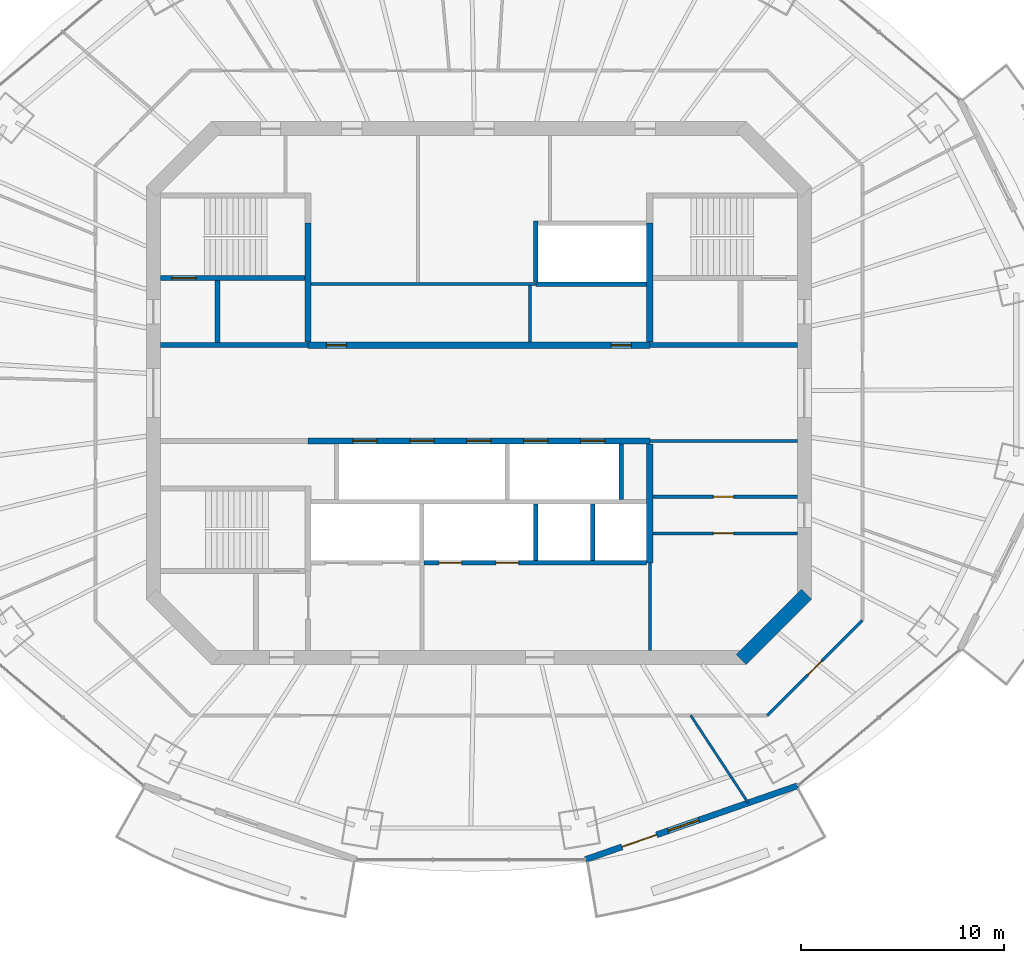
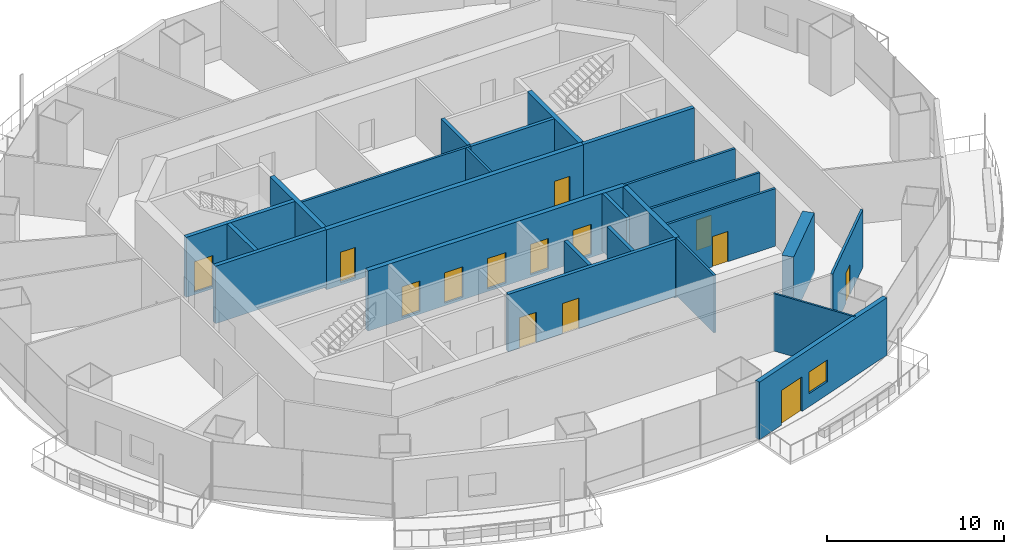
# One storey, part 9 of 16: 25 walls, 14 doors, 1 window, 15 openings.
"""IFC4 building model written with IfcOpenShell, lengths in metres."""

from ifc_helpers import new_model, si_unit, direction, frame, frame_2d, origin, place, context, subcontext, project, spatial, rectangle, extrude, material, layer, layer_set, type_object, element, fill, save


model = new_model("IFC4")

# Units and contexts
model_context = context("Model", 3, precision=1e-05, world=origin(), true_north=direction((0.0, 1.0)))
body_context = subcontext(model_context, "Body", "Model", "MODEL_VIEW")
ifc_project = project(units=[si_unit("LENGTHUNIT", "METRE"), si_unit("AREAUNIT", "SQUARE_METRE"), si_unit("VOLUMEUNIT", "CUBIC_METRE"), si_unit("PLANEANGLEUNIT", "RADIAN"), si_unit("MASSUNIT", "GRAM", prefix="KILO")], contexts=[model_context])

# Site, building, storey
site_placement = place(None, origin())
site = spatial("IfcSite", under=ifc_project, at=site_placement, CompositionType="ELEMENT")
building_placement = place(site_placement, origin())
building = spatial("IfcBuilding", under=site, at=building_placement, Name="Marenthal Gate Tower", CompositionType="ELEMENT")
storey_placement = place(building_placement, frame((0.0, 0.0, 288.64990234375)))
storey = spatial("IfcBuildingStorey", under=building, at=storey_placement, Name="L64", CompositionType="ELEMENT", Elevation=288.64990234375)

# Wall
ifc_material_1 = material(Name="Concrete 60 MPa", Category="concrete")
ifc_layer_1 = layer(ifc_material_1, 0.699951171875)
ifc_layer_set_1 = layer_set([ifc_layer_1], Name="Core shear wall 700")
wall_type_1 = type_object("IfcWallType", Name="Core shear wall 700", PredefinedType="SHEAR", material=ifc_layer_set_1)
wall_1_placement = place(storey_placement, frame((12.8974609375, -13.1025390625, -0.179931640625), z_axis=(0.0, 0.0, 1.0), x_axis=(0.707106781187, 0.707106781187, 0.0)))
element("IfcWall", 1, at=wall_1_placement, inside=storey, type_object=wall_type_1, Name="Core wall 01", PredefinedType="SHEAR", context=body_context, shape_type="SweptSolid", body=[
    extrude(rectangle(XDim=4.53271484375, YDim=0.699951171875, at=frame_2d((2.266357421875, 0.0))), origin(), (0.0, 0.0, 1.0), 4.150146484375),
])

# Wall, openings, doors
ifc_material_2 = material(Name="Concrete 50 MPa", Category="concrete")
ifc_layer_2 = layer(ifc_material_2, 0.300048828125)
ifc_layer_set_2 = layer_set([ifc_layer_2], Name="Hoistway shear wall 300")
wall_type_2 = type_object("IfcWallType", Name="Hoistway shear wall 300", PredefinedType="SHEAR", material=ifc_layer_set_2)
wall_2_placement = place(storey_placement, frame((-8.39990234375, -2.35009765625, -0.179931640625), z_axis=(0.0, 0.0, 1.0), x_axis=(1.0, 0.0, 0.0)))
wall_2 = element("IfcWall", 2, at=wall_2_placement, inside=storey, type_object=wall_type_2, Name="Hoistway wall 17", PredefinedType="SHEAR", context=body_context, shape_type="SweptSolid", body=[
    extrude(rectangle(XDim=16.7998046875, YDim=0.300048828125, at=frame_2d((8.39990234375, 0.0))), origin(), (0.0, 0.0, 1.0), 4.150146484375),
])
opening_1_placement = place(wall_2_placement, frame((2.199951171875, 0.0, 0.179931640625)))
opening_1 = element("IfcOpeningElement", 3, at=opening_1_placement, cuts=wall_2, Name="Opening LD-HP1", PredefinedType="OPENING", context=body_context, shape_type="SweptSolid", body=[
    extrude(rectangle(XDim=1.199951171875, YDim=2.10009765625, at=frame_2d((0.60009765625, 1.050048828125))), frame((0.0, 0.16015625, 0.0), z_axis=(0.0, -1.0, 0.0), x_axis=(1.0, 0.0, 0.0)), (0.0, 0.0, 1.0), 0.320068359375),
])
opening_2_placement = place(wall_2_placement, frame((5.0, 0.0, 0.179931640625)))
opening_2 = element("IfcOpeningElement", 4, at=opening_2_placement, cuts=wall_2, Name="Opening LD-HP2", PredefinedType="OPENING", context=body_context, shape_type="SweptSolid", body=[
    extrude(rectangle(XDim=1.199951171875, YDim=2.10009765625, at=frame_2d((0.60009765625, 1.050048828125))), frame((0.0, 0.16015625, 0.0), z_axis=(0.0, -1.0, 0.0), x_axis=(1.0, 0.0, 0.0)), (0.0, 0.0, 1.0), 0.320068359375),
])
opening_3_placement = place(wall_2_placement, frame((7.800048828125, 0.0, 0.179931640625)))
opening_3 = element("IfcOpeningElement", 5, at=opening_3_placement, cuts=wall_2, Name="Opening LD-HP3", PredefinedType="OPENING", context=body_context, shape_type="SweptSolid", body=[
    extrude(rectangle(XDim=1.199951171875, YDim=2.10009765625, at=frame_2d((0.60009765625, 1.050048828125))), frame((0.0, 0.16015625, 0.0), z_axis=(0.0, -1.0, 0.0), x_axis=(1.0, 0.0, 0.0)), (0.0, 0.0, 1.0), 0.320068359375),
])
opening_4_placement = place(wall_2_placement, frame((10.60009765625, 0.0, 0.179931640625)))
opening_4 = element("IfcOpeningElement", 6, at=opening_4_placement, cuts=wall_2, Name="Opening LD-HP4", PredefinedType="OPENING", context=body_context, shape_type="SweptSolid", body=[
    extrude(rectangle(XDim=1.199951171875, YDim=2.10009765625, at=frame_2d((0.60009765625, 1.050048828125))), frame((0.0, 0.16015625, 0.0), z_axis=(0.0, -1.0, 0.0), x_axis=(1.0, 0.0, 0.0)), (0.0, 0.0, 1.0), 0.320068359375),
])
opening_5_placement = place(wall_2_placement, frame((13.39990234375, 0.0, 0.179931640625)))
opening_5 = element("IfcOpeningElement", 7, at=opening_5_placement, cuts=wall_2, Name="Opening LD-HP5", PredefinedType="OPENING", context=body_context, shape_type="SweptSolid", body=[
    extrude(rectangle(XDim=1.199951171875, YDim=2.10009765625, at=frame_2d((0.60009765625, 1.050048828125))), frame((0.0, 0.16015625, 0.0), z_axis=(0.0, -1.0, 0.0), x_axis=(1.0, 0.0, 0.0)), (0.0, 0.0, 1.0), 0.320068359375),
])
ifc_material_3 = material(Name="Stainless steel sliding door", Category="steel")
door_type_1 = type_object("IfcDoorType", Name="Lift landing door FD 90 1200 x 2100", OperationType="DOUBLE_DOOR_SLIDING", PredefinedType="DOOR", material=ifc_material_3)
door_1_placement = place(opening_1_placement, origin())
door_1 = element("IfcDoor", 8, at=door_1_placement, inside=storey, type_object=door_type_1, Name="Lift landing door HP1", OperationType="DOUBLE_DOOR_SLIDING", OverallHeight=2.10009765625, OverallWidth=1.199951171875, PredefinedType="DOOR", context=body_context, shape_type="SweptSolid", body=[
    extrude(rectangle(XDim=1.199951171875, YDim=2.10009765625, at=frame_2d((0.60009765625, 1.050048828125))), frame((0.0, 0.02490234375, 0.0), z_axis=(0.0, -1.0, 0.0), x_axis=(1.0, 0.0, 0.0)), (0.0, 0.0, 1.0), 0.050048828125),
])
fill(opening_1, door_1)
door_2_placement = place(opening_2_placement, origin())
door_2 = element("IfcDoor", 9, at=door_2_placement, inside=storey, type_object=door_type_1, Name="Lift landing door HP2", OperationType="DOUBLE_DOOR_SLIDING", OverallHeight=2.10009765625, OverallWidth=1.199951171875, PredefinedType="DOOR", context=body_context, shape_type="SweptSolid", body=[
    extrude(rectangle(XDim=1.199951171875, YDim=2.10009765625, at=frame_2d((0.60009765625, 1.050048828125))), frame((0.0, 0.02490234375, 0.0), z_axis=(0.0, -1.0, 0.0), x_axis=(1.0, 0.0, 0.0)), (0.0, 0.0, 1.0), 0.050048828125),
])
fill(opening_2, door_2)
door_3_placement = place(opening_3_placement, origin())
door_3 = element("IfcDoor", 10, at=door_3_placement, inside=storey, type_object=door_type_1, Name="Lift landing door HP3", OperationType="DOUBLE_DOOR_SLIDING", OverallHeight=2.10009765625, OverallWidth=1.199951171875, PredefinedType="DOOR", context=body_context, shape_type="SweptSolid", body=[
    extrude(rectangle(XDim=1.199951171875, YDim=2.10009765625, at=frame_2d((0.60009765625, 1.050048828125))), frame((0.0, 0.02490234375, 0.0), z_axis=(0.0, -1.0, 0.0), x_axis=(1.0, 0.0, 0.0)), (0.0, 0.0, 1.0), 0.050048828125),
])
fill(opening_3, door_3)
door_4_placement = place(opening_4_placement, origin())
door_4 = element("IfcDoor", 11, at=door_4_placement, inside=storey, type_object=door_type_1, Name="Lift landing door HP4", OperationType="DOUBLE_DOOR_SLIDING", OverallHeight=2.10009765625, OverallWidth=1.199951171875, PredefinedType="DOOR", context=body_context, shape_type="SweptSolid", body=[
    extrude(rectangle(XDim=1.199951171875, YDim=2.10009765625, at=frame_2d((0.60009765625, 1.050048828125))), frame((0.0, 0.02490234375, 0.0), z_axis=(0.0, -1.0, 0.0), x_axis=(1.0, 0.0, 0.0)), (0.0, 0.0, 1.0), 0.050048828125),
])
fill(opening_4, door_4)
door_5_placement = place(opening_5_placement, origin())
door_5 = element("IfcDoor", 12, at=door_5_placement, inside=storey, type_object=door_type_1, Name="Lift landing door HP5", OperationType="DOUBLE_DOOR_SLIDING", OverallHeight=2.10009765625, OverallWidth=1.199951171875, PredefinedType="DOOR", context=body_context, shape_type="SweptSolid", body=[
    extrude(rectangle(XDim=1.199951171875, YDim=2.10009765625, at=frame_2d((0.60009765625, 1.050048828125))), frame((0.0, 0.02490234375, 0.0), z_axis=(0.0, -1.0, 0.0), x_axis=(1.0, 0.0, 0.0)), (0.0, 0.0, 1.0), 0.050048828125),
])
fill(opening_5, door_5)

wall_3_placement = place(storey_placement, frame((-8.39990234375, 2.35009765625, -0.179931640625), z_axis=(0.0, 0.0, 1.0), x_axis=(1.0, 0.0, 0.0)))
wall_3 = element("IfcWall", 13, at=wall_3_placement, inside=storey, type_object=wall_type_2, Name="Hoistway wall 20", PredefinedType="SHEAR", context=body_context, shape_type="SweptSolid", body=[
    extrude(rectangle(XDim=16.7998046875, YDim=0.300048828125, at=frame_2d((8.39990234375, 0.0))), origin(), (0.0, 0.0, 1.0), 4.150146484375),
])
opening_6_placement = place(wall_3_placement, frame((0.89990234375, 0.0, 0.179931640625)))
opening_6 = element("IfcOpeningElement", 14, at=opening_6_placement, cuts=wall_3, Name="Opening D005.01", PredefinedType="OPENING", context=body_context, shape_type="SweptSolid", body=[
    extrude(rectangle(XDim=1.0, YDim=2.10009765625, at=frame_2d((0.5, 1.050048828125))), frame((0.0, 0.16015625, 0.0), z_axis=(0.0, -1.0, 0.0), x_axis=(1.0, 0.0, 0.0)), (0.0, 0.0, 1.0), 0.320068359375),
])
opening_7_placement = place(wall_3_placement, frame((14.89990234375, 0.0, 0.179931640625)))
opening_7 = element("IfcOpeningElement", 15, at=opening_7_placement, cuts=wall_3, Name="Opening D005.02", PredefinedType="OPENING", context=body_context, shape_type="SweptSolid", body=[
    extrude(rectangle(XDim=1.0, YDim=2.10009765625, at=frame_2d((0.5, 1.050048828125))), frame((0.0, 0.16015625, 0.0), z_axis=(0.0, -1.0, 0.0), x_axis=(1.0, 0.0, 0.0)), (0.0, 0.0, 1.0), 0.320068359375),
])
ifc_material_4 = material(Name="Steel fire door", Category="steel")
door_type_2 = type_object("IfcDoorType", Name="Fire door FD 45 1000 x 2100", OperationType="NOTDEFINED", PredefinedType="DOOR", material=ifc_material_4)
door_6_placement = place(opening_6_placement, origin())
door_6 = element("IfcDoor", 16, at=door_6_placement, inside=storey, type_object=door_type_2, Name="Door D005.01", OperationType="SINGLE_SWING_RIGHT", OverallHeight=2.10009765625, OverallWidth=1.0, PredefinedType="DOOR", context=body_context, shape_type="SweptSolid", body=[
    extrude(rectangle(XDim=1.0, YDim=2.10009765625, at=frame_2d((0.5, 1.050048828125))), frame((0.0, 0.02490234375, 0.0), z_axis=(0.0, -1.0, 0.0), x_axis=(1.0, 0.0, 0.0)), (0.0, 0.0, 1.0), 0.050048828125),
])
fill(opening_6, door_6)
door_7_placement = place(opening_7_placement, origin())
door_7 = element("IfcDoor", 17, at=door_7_placement, inside=storey, type_object=door_type_2, Name="Door D005.02", OperationType="SINGLE_SWING_RIGHT", OverallHeight=2.10009765625, OverallWidth=1.0, PredefinedType="DOOR", context=body_context, shape_type="SweptSolid", body=[
    extrude(rectangle(XDim=1.0, YDim=2.10009765625, at=frame_2d((0.5, 1.050048828125))), frame((0.0, 0.02490234375, 0.0), z_axis=(0.0, -1.0, 0.0), x_axis=(1.0, 0.0, 0.0)), (0.0, 0.0, 1.0), 0.050048828125),
])
fill(opening_7, door_7)

# Walls
for number, where, z_axis, x_axis, name in (
    (18, (-8.39990234375, 2.5, -0.179931640625), (0.0, 0.0, 1.0), (0.0, 1.0, 0.0), "Hoistway wall 34"),
    (19, (8.39990234375, -8.35009765625, -0.179931640625), (0.0, 0.0, 1.0), (0.0, 1.0, 0.0), "Hoistway wall 48"),
    (20, (8.39990234375, 2.5, -0.179931640625), (0.0, 0.0, 1.0), (0.0, 1.0, 0.0), "Hoistway wall 49"),
):
    element("IfcWall", number, at=place(storey_placement, frame(where, z_axis=z_axis, x_axis=x_axis)), inside=storey, type_object=wall_type_2, Name=name, PredefinedType="SHEAR", context=body_context, shape_type="SweptSolid", body=[
        extrude(rectangle(XDim=5.85009765625, YDim=0.300048828125, at=frame_2d((2.925048828125, 0.0))), origin(), (0.0, 0.0, 1.0), 4.150146484375),
    ])

# Wall, openings, doors
ifc_material_5 = material(Name="Concrete 40 MPa", Category="concrete")
ifc_layer_3 = layer(ifc_material_5, 0.219970703125)
ifc_layer_set_3 = layer_set([ifc_layer_3], Name="Hoistway wall 220")
wall_type_3 = type_object("IfcWallType", Name="Hoistway wall 220", PredefinedType="STANDARD", material=ifc_layer_set_3)
wall_4_placement = place(storey_placement, frame((-2.68994140625, -8.35009765625, 0.0), z_axis=(0.0, 0.0, 1.0), x_axis=(1.0, 0.0, 0.0)))
wall_4 = element("IfcWall", 21, at=wall_4_placement, inside=storey, type_object=wall_type_3, Name="Hoistway wall 11", PredefinedType="STANDARD", context=body_context, shape_type="SweptSolid", body=[
    extrude(rectangle(XDim=10.93994140625, YDim=0.219970703125, at=frame_2d((5.469970703125, 0.0))), origin(), (0.0, 0.0, 1.0), 3.97021484375),
])
opening_8_placement = place(wall_4_placement, frame((0.739990234375, 0.0, 0.0)))
opening_8 = element("IfcOpeningElement", 22, at=opening_8_placement, cuts=wall_4, Name="Opening LD-SV1", PredefinedType="OPENING", context=body_context, shape_type="SweptSolid", body=[
    extrude(rectangle(XDim=1.10009765625, YDim=2.10009765625, at=frame_2d((0.550048828125, 1.050048828125))), frame((0.0, 0.1201171875, 0.0), z_axis=(0.0, -1.0, 0.0), x_axis=(1.0, 0.0, 0.0)), (0.0, 0.0, 1.0), 0.239990234375),
])
opening_9_placement = place(wall_4_placement, frame((3.5400390625, 0.0, 0.0)))
opening_9 = element("IfcOpeningElement", 23, at=opening_9_placement, cuts=wall_4, Name="Opening LD-SV2", PredefinedType="OPENING", context=body_context, shape_type="SweptSolid", body=[
    extrude(rectangle(XDim=1.10009765625, YDim=2.10009765625, at=frame_2d((0.550048828125, 1.050048828125))), frame((0.0, 0.1201171875, 0.0), z_axis=(0.0, -1.0, 0.0), x_axis=(1.0, 0.0, 0.0)), (0.0, 0.0, 1.0), 0.239990234375),
])
ifc_material_6 = material(Name="Stainless steel sliding door", Category="steel")
door_type_3 = type_object("IfcDoorType", Name="Lift landing door FD 90 1100 x 2100", OperationType="DOUBLE_DOOR_SLIDING", PredefinedType="DOOR", material=ifc_material_6)
door_8_placement = place(opening_8_placement, origin())
door_8 = element("IfcDoor", 24, at=door_8_placement, inside=storey, type_object=door_type_3, Name="Lift landing door SV1", OperationType="DOUBLE_DOOR_SLIDING", OverallHeight=2.10009765625, OverallWidth=1.10009765625, PredefinedType="DOOR", context=body_context, shape_type="SweptSolid", body=[
    extrude(rectangle(XDim=1.10009765625, YDim=2.10009765625, at=frame_2d((0.550048828125, 1.050048828125))), frame((0.0, 0.02490234375, 0.0), z_axis=(0.0, -1.0, 0.0), x_axis=(1.0, 0.0, 0.0)), (0.0, 0.0, 1.0), 0.050048828125),
])
fill(opening_8, door_8)
door_9_placement = place(opening_9_placement, origin())
door_9 = element("IfcDoor", 25, at=door_9_placement, inside=storey, type_object=door_type_3, Name="Lift landing door SV2", OperationType="DOUBLE_DOOR_SLIDING", OverallHeight=2.10009765625, OverallWidth=1.10009765625, PredefinedType="DOOR", context=body_context, shape_type="SweptSolid", body=[
    extrude(rectangle(XDim=1.10009765625, YDim=2.10009765625, at=frame_2d((0.550048828125, 1.050048828125))), frame((0.0, 0.02490234375, 0.0), z_axis=(0.0, -1.0, 0.0), x_axis=(1.0, 0.0, 0.0)), (0.0, 0.0, 1.0), 0.050048828125),
])
fill(opening_9, door_9)

# Walls
wall_5_placement = place(storey_placement, frame((2.800048828125, 5.35009765625, 0.0), z_axis=(0.0, 0.0, 1.0), x_axis=(1.0, 0.0, 0.0)))
element("IfcWall", 26, at=wall_5_placement, inside=storey, type_object=wall_type_3, Name="Hoistway wall 23", PredefinedType="STANDARD", context=body_context, shape_type="SweptSolid", body=[
    extrude(rectangle(XDim=5.449951171875, YDim=0.219970703125, at=frame_2d((2.72509765625, 0.0))), origin(), (0.0, 0.0, 1.0), 3.97021484375),
])
wall_6_placement = place(storey_placement, frame((2.800048828125, -8.239990234375, 0.0), z_axis=(0.0, 0.0, 1.0), x_axis=(0.0, 1.0, 0.0)))
element("IfcWall", 27, at=wall_6_placement, inside=storey, type_object=wall_type_3, Name="Hoistway wall 42", PredefinedType="STANDARD", context=body_context, shape_type="SweptSolid", body=[
    extrude(rectangle(XDim=2.780029296875, YDim=0.219970703125, at=frame_2d((1.39013671875, 0.0))), origin(), (0.0, 0.0, 1.0), 3.97021484375),
])
wall_7_placement = place(storey_placement, frame((2.800048828125, 5.4599609375, 0.0), z_axis=(0.0, 0.0, 1.0), x_axis=(0.0, 1.0, 0.0)))
element("IfcWall", 28, at=wall_7_placement, inside=storey, type_object=wall_type_3, Name="Hoistway wall 43", PredefinedType="STANDARD", context=body_context, shape_type="SweptSolid", body=[
    extrude(rectangle(XDim=3.0, YDim=0.219970703125, at=frame_2d((1.5, 0.0))), origin(), (0.0, 0.0, 1.0), 3.97021484375),
])
wall_8_placement = place(storey_placement, frame((5.60009765625, -8.239990234375, 0.0), z_axis=(0.0, 0.0, 1.0), x_axis=(0.0, 1.0, 0.0)))
element("IfcWall", 29, at=wall_8_placement, inside=storey, type_object=wall_type_3, Name="Hoistway wall 45", PredefinedType="STANDARD", context=body_context, shape_type="SweptSolid", body=[
    extrude(rectangle(XDim=2.780029296875, YDim=0.219970703125, at=frame_2d((1.39013671875, 0.0))), origin(), (0.0, 0.0, 1.0), 3.97021484375),
])
wall_9_placement = place(storey_placement, frame((7.0, -5.239990234375, 0.0), z_axis=(0.0, 0.0, 1.0), x_axis=(0.0, 1.0, 0.0)))
element("IfcWall", 30, at=wall_9_placement, inside=storey, type_object=wall_type_3, Name="Hoistway wall 46", PredefinedType="STANDARD", context=body_context, shape_type="SweptSolid", body=[
    extrude(rectangle(XDim=2.739990234375, YDim=0.219970703125, at=frame_2d((1.3701171875, 0.0))), origin(), (0.0, 0.0, 1.0), 3.97021484375),
])
ifc_material_7 = material(Name="Gypsum board on steel studs", Category="steel")
ifc_layer_4 = layer(ifc_material_7, 0.1201171875)
ifc_layer_set_4 = layer_set([ifc_layer_4], Name="Partition 120")
wall_type_4 = type_object("IfcWallType", Name="Partition 120", PredefinedType="PARTITIONING", material=ifc_layer_set_4)
wall_10_placement = place(storey_placement, frame((10.41357421875, -15.85009765625, 0.0), z_axis=(0.0, 0.0, 1.0), x_axis=(0.549083233683, -0.835767672555, 0.0)))
element("IfcWall", 31, at=wall_10_placement, inside=storey, type_object=wall_type_4, Name="Partition wall 65", PredefinedType="PARTITIONING", context=body_context, shape_type="SweptSolid", body=[
    extrude(rectangle(XDim=5.14697265625, YDim=0.1201171875, at=frame_2d((2.573486328125, 0.0))), origin(), (0.0, 0.0, 1.0), 3.97021484375),
])

# Wall, opening, door
ifc_material_8 = material(Name="Gypsum board on steel studs", Category="steel")
ifc_layer_5 = layer(ifc_material_8, 0.14990234375)
ifc_layer_set_5 = layer_set([ifc_layer_5], Name="Partition 150")
wall_type_5 = type_object("IfcWallType", Name="Partition 150", PredefinedType="PARTITIONING", material=ifc_layer_set_5)
wall_11_placement = place(storey_placement, frame((8.550048828125, -6.89990234375, 0.0), z_axis=(0.0, 0.0, 1.0), x_axis=(1.0, 0.0, 0.0)))
wall_11 = element("IfcWall", 32, at=wall_11_placement, inside=storey, type_object=wall_type_5, Name="Partition wall 12", PredefinedType="PARTITIONING", context=body_context, shape_type="SweptSolid", body=[
    extrude(rectangle(XDim=7.099853515625, YDim=0.14990234375, at=frame_2d((3.5498046875, 0.0))), origin(), (0.0, 0.0, 1.0), 3.97021484375),
])
opening_10_placement = place(wall_11_placement, frame((2.97509765625, 0.0, 0.0)))
opening_10 = element("IfcOpeningElement", 33, at=opening_10_placement, cuts=wall_11, Name="Opening D005.08", PredefinedType="OPENING", context=body_context, shape_type="SweptSolid", body=[
    extrude(rectangle(XDim=1.0, YDim=2.10009765625, at=frame_2d((0.5, 1.050048828125))), frame((0.0, 0.0849609375, 0.0), z_axis=(0.0, -1.0, 0.0), x_axis=(1.0, 0.0, 0.0)), (0.0, 0.0, 1.0), 0.169921875),
])
door_10_placement = place(opening_10_placement, frame((1.0, 0.0, 0.0), z_axis=(0.0, 0.0, 1.0), x_axis=(-1.0, 0.0, 0.0)))
door_10 = element("IfcDoor", 34, at=door_10_placement, inside=storey, type_object=door_type_2, Name="Door D005.08", OperationType="SINGLE_SWING_LEFT", OverallHeight=2.10009765625, OverallWidth=1.0, PredefinedType="DOOR", context=body_context, shape_type="SweptSolid", body=[
    extrude(rectangle(XDim=1.0, YDim=2.10009765625, at=frame_2d((0.5, 1.050048828125))), frame((0.0, 0.02490234375, 0.0), z_axis=(0.0, -1.0, 0.0), x_axis=(1.0, 0.0, 0.0)), (0.0, 0.0, 1.0), 0.050048828125),
])
fill(opening_10, door_10)

wall_12_placement = place(storey_placement, frame((8.550048828125, -5.10009765625, 0.0), z_axis=(0.0, 0.0, 1.0), x_axis=(1.0, 0.0, 0.0)))
wall_12 = element("IfcWall", 35, at=wall_12_placement, inside=storey, type_object=wall_type_5, Name="Partition wall 14", PredefinedType="PARTITIONING", context=body_context, shape_type="SweptSolid", body=[
    extrude(rectangle(XDim=7.099853515625, YDim=0.14990234375, at=frame_2d((3.5498046875, 0.0))), origin(), (0.0, 0.0, 1.0), 3.97021484375),
])
opening_11_placement = place(wall_12_placement, frame((2.97509765625, 0.0, 0.0)))
opening_11 = element("IfcOpeningElement", 36, at=opening_11_placement, cuts=wall_12, Name="Opening D005.07", PredefinedType="OPENING", context=body_context, shape_type="SweptSolid", body=[
    extrude(rectangle(XDim=1.0, YDim=2.10009765625, at=frame_2d((0.5, 1.050048828125))), frame((0.0, 0.0849609375, 0.0), z_axis=(0.0, -1.0, 0.0), x_axis=(1.0, 0.0, 0.0)), (0.0, 0.0, 1.0), 0.169921875),
])
door_11_placement = place(opening_11_placement, origin())
door_11 = element("IfcDoor", 37, at=door_11_placement, inside=storey, type_object=door_type_2, Name="Door D005.07", OperationType="SINGLE_SWING_RIGHT", OverallHeight=2.10009765625, OverallWidth=1.0, PredefinedType="DOOR", context=body_context, shape_type="SweptSolid", body=[
    extrude(rectangle(XDim=1.0, YDim=2.10009765625, at=frame_2d((0.5, 1.050048828125))), frame((0.0, 0.02490234375, 0.0), z_axis=(0.0, -1.0, 0.0), x_axis=(1.0, 0.0, 0.0)), (0.0, 0.0, 1.0), 0.050048828125),
])
fill(opening_11, door_11)

# Walls
wall_13_placement = place(storey_placement, frame((8.39990234375, -2.35009765625, 0.0), z_axis=(0.0, 0.0, 1.0), x_axis=(1.0, 0.0, 0.0)))
element("IfcWall", 38, at=wall_13_placement, inside=storey, type_object=wall_type_5, Name="Partition wall 18", PredefinedType="PARTITIONING", context=body_context, shape_type="SweptSolid", body=[
    extrude(rectangle(XDim=7.25, YDim=0.14990234375, at=frame_2d((3.625, 0.0))), origin(), (0.0, 0.0, 1.0), 3.97021484375),
])
wall_14_placement = place(storey_placement, frame((-8.25, 5.35009765625, 0.0), z_axis=(0.0, 0.0, 1.0), x_axis=(1.0, 0.0, 0.0)))
element("IfcWall", 39, at=wall_14_placement, inside=storey, type_object=wall_type_5, Name="Partition wall 22", PredefinedType="PARTITIONING", context=body_context, shape_type="SweptSolid", body=[
    extrude(rectangle(XDim=11.050048828125, YDim=0.14990234375, at=frame_2d((5.52490234375, 0.0))), origin(), (0.0, 0.0, 1.0), 3.97021484375),
])
wall_15_placement = place(storey_placement, frame((2.52001953125, 2.5, 0.0), z_axis=(0.0, 0.0, 1.0), x_axis=(0.0, 1.0, 0.0)))
element("IfcWall", 40, at=wall_15_placement, inside=storey, type_object=wall_type_5, Name="Partition wall 41", PredefinedType="PARTITIONING", context=body_context, shape_type="SweptSolid", body=[
    extrude(rectangle(XDim=2.77490234375, YDim=0.14990234375, at=frame_2d((1.387451171875, 0.0))), origin(), (0.0, 0.0, 1.0), 3.97021484375),
])
wall_16_placement = place(storey_placement, frame((8.39990234375, -12.64990234375, 0.0), z_axis=(0.0, 0.0, 1.0), x_axis=(0.0, 1.0, 0.0)))
element("IfcWall", 41, at=wall_16_placement, inside=storey, type_object=wall_type_5, Name="Partition wall 47", PredefinedType="PARTITIONING", context=body_context, shape_type="SweptSolid", body=[
    extrude(rectangle(XDim=4.2998046875, YDim=0.14990234375, at=frame_2d((2.14990234375, 0.0))), origin(), (0.0, 0.0, 1.0), 3.97021484375),
])

# Wall, opening, door
wall_17_placement = place(storey_placement, frame((18.85009765625, -11.180419921875, 0.0), z_axis=(0.0, 0.0, 1.0), x_axis=(-0.707106781187, -0.707106781187, 0.0)))
wall_17 = element("IfcWall", 42, at=wall_17_placement, inside=storey, type_object=wall_type_5, Name="Partition wall 68", PredefinedType="PARTITIONING", context=body_context, shape_type="SweptSolid", body=[
    extrude(rectangle(XDim=6.60400390625, YDim=0.14990234375, at=frame_2d((3.302001953125, 0.0))), origin(), (0.0, 0.0, 1.0), 3.97021484375),
])
opening_12_placement = place(wall_17_placement, frame((2.826904296875, 0.0, 0.0)))
opening_12 = element("IfcOpeningElement", 43, at=opening_12_placement, cuts=wall_17, Name="Opening D016.09", PredefinedType="OPENING", context=body_context, shape_type="SweptSolid", body=[
    extrude(rectangle(XDim=0.949951171875, YDim=2.10009765625, at=frame_2d((0.47509765625, 1.050048828125))), frame((0.0, 0.0849609375, 0.0), z_axis=(0.0, -1.0, 0.0), x_axis=(1.0, 0.0, 0.0)), (0.0, 0.0, 1.0), 0.169921875),
])
ifc_material_9 = material(Name="Timber door", Category="wood")
door_type_4 = type_object("IfcDoorType", Name="Door 950 x 2100", OperationType="NOTDEFINED", PredefinedType="DOOR", material=ifc_material_9)
door_12_placement = place(opening_12_placement, origin())
door_12 = element("IfcDoor", 44, at=door_12_placement, inside=storey, type_object=door_type_4, Name="Door D016.09", OperationType="SINGLE_SWING_RIGHT", OverallHeight=2.10009765625, OverallWidth=0.949951171875, PredefinedType="DOOR", context=body_context, shape_type="SweptSolid", body=[
    extrude(rectangle(XDim=0.949951171875, YDim=2.10009765625, at=frame_2d((0.47509765625, 1.050048828125))), frame((0.0, 0.02490234375, 0.0), z_axis=(0.0, -1.0, 0.0), x_axis=(1.0, 0.0, 0.0)), (0.0, 0.0, 1.0), 0.050048828125),
])
fill(opening_12, door_12)

# Walls
ifc_material_10 = material(Name="Concrete 40 MPa", Category="concrete")
ifc_layer_6 = layer(ifc_material_10, 0.25)
ifc_layer_set_6 = layer_set([ifc_layer_6], Name="Stair enclosure wall 250")
wall_type_6 = type_object("IfcWallType", Name="Stair enclosure wall 250", PredefinedType="STANDARD", material=ifc_layer_set_6)
for number, where, z_axis, x_axis, name in (
    (45, (-15.64990234375, 2.35009765625, 0.0), (0.0, 0.0, 1.0), (1.0, 0.0, 0.0), "Stair wall 19"),
    (46, (8.39990234375, 2.35009765625, 0.0), (0.0, 0.0, 1.0), (1.0, 0.0, 0.0), "Stair wall 21"),
):
    element("IfcWall", number, at=place(storey_placement, frame(where, z_axis=z_axis, x_axis=x_axis)), inside=storey, type_object=wall_type_6, Name=name, PredefinedType="STANDARD", context=body_context, shape_type="SweptSolid", body=[
        extrude(rectangle(XDim=7.25, YDim=0.25, at=frame_2d((3.625, 0.0))), origin(), (0.0, 0.0, 1.0), 3.97021484375),
    ])
wall_18_placement = place(storey_placement, frame((-12.85009765625, 2.47509765625, 0.0), z_axis=(0.0, 0.0, 1.0), x_axis=(0.0, 1.0, 0.0)))
element("IfcWall", 47, at=wall_18_placement, inside=storey, type_object=wall_type_6, Name="Stair wall 29", PredefinedType="STANDARD", context=body_context, shape_type="SweptSolid", body=[
    extrude(rectangle(XDim=3.0498046875, YDim=0.25, at=frame_2d((1.52490234375, 0.0))), origin(), (0.0, 0.0, 1.0), 3.97021484375),
])

# Wall, opening, door
ifc_material_11 = material(Name="Concrete 50 MPa", Category="concrete")
ifc_layer_7 = layer(ifc_material_11, 0.25)
ifc_layer_set_7 = layer_set([ifc_layer_7], Name="Stair shear wall 250")
wall_type_7 = type_object("IfcWallType", Name="Stair shear wall 250", PredefinedType="SHEAR", material=ifc_layer_set_7)
wall_19_placement = place(storey_placement, frame((-15.64990234375, 5.64990234375, -0.179931640625), z_axis=(0.0, 0.0, 1.0), x_axis=(1.0, 0.0, 0.0)))
wall_19 = element("IfcWall", 48, at=wall_19_placement, inside=storey, type_object=wall_type_7, Name="Stair wall 24", PredefinedType="SHEAR", context=body_context, shape_type="SweptSolid", body=[
    extrude(rectangle(XDim=7.099853515625, YDim=0.25, at=frame_2d((3.5498046875, 0.0))), origin(), (0.0, 0.0, 1.0), 4.150146484375),
])
opening_13_placement = place(wall_19_placement, frame((0.550048828125, 0.0, 0.179931640625)))
opening_13 = element("IfcOpeningElement", 49, at=opening_13_placement, cuts=wall_19, Name="Opening D001.01", PredefinedType="OPENING", context=body_context, shape_type="SweptSolid", body=[
    extrude(rectangle(XDim=1.199951171875, YDim=2.10009765625, at=frame_2d((0.60009765625, 1.050048828125))), frame((0.0, 0.135009765625, 0.0), z_axis=(0.0, -1.0, 0.0), x_axis=(1.0, 0.0, 0.0)), (0.0, 0.0, 1.0), 0.27001953125),
])
ifc_material_12 = material(Name="Steel fire door", Category="steel")
door_type_5 = type_object("IfcDoorType", Name="Fire door FD 90 1200 x 2100", OperationType="NOTDEFINED", PredefinedType="DOOR", material=ifc_material_12)
door_13_placement = place(opening_13_placement, origin())
door_13 = element("IfcDoor", 50, at=door_13_placement, inside=storey, type_object=door_type_5, Name="Door D001.01", OperationType="SINGLE_SWING_RIGHT", OverallHeight=2.10009765625, OverallWidth=1.199951171875, PredefinedType="DOOR", context=body_context, shape_type="SweptSolid", body=[
    extrude(rectangle(XDim=1.199951171875, YDim=2.10009765625, at=frame_2d((0.60009765625, 1.050048828125))), frame((0.0, 0.02490234375, 0.0), z_axis=(0.0, -1.0, 0.0), x_axis=(1.0, 0.0, 0.0)), (0.0, 0.0, 1.0), 0.050048828125),
])
fill(opening_13, door_13)

# Wall, openings, door, window
ifc_material_13 = material(Name="Terracotta cladding on insulated concrete-block backing", Category="masonry")
ifc_layer_8 = layer(ifc_material_13, 0.300048828125)
ifc_layer_set_8 = layer_set([ifc_layer_8], Name="Terracotta facade wall 300")
wall_type_8 = type_object("IfcWallType", Name="Terracotta facade wall 300", PredefinedType="SOLIDWALL", material=ifc_layer_set_8)
wall_20_placement = place(storey_placement, frame((5.24169921875, -22.93603515625, 0.0), z_axis=(0.0, 0.0, 1.0), x_axis=(0.94441082719, 0.328767683155, 0.0)))
wall_20 = element("IfcWall", 51, at=wall_20_placement, inside=storey, type_object=wall_type_8, Name="Terracotta facade wall L64 bay 13", PredefinedType="SOLIDWALL", context=body_context, shape_type="SweptSolid", body=[
    extrude(rectangle(XDim=11.037841796875, YDim=0.300048828125, at=frame_2d((5.51904296875, 0.0))), origin(), (0.0, 0.0, 1.0), 3.97021484375),
])
opening_14_placement = place(wall_20_placement, frame((1.89990234375, 0.0, 0.0)))
opening_14 = element("IfcOpeningElement", 52, at=opening_14_placement, cuts=wall_20, Name="Opening BD-L64-13", PredefinedType="OPENING", context=body_context, shape_type="SweptSolid", body=[
    extrude(rectangle(XDim=1.800048828125, YDim=2.39990234375, at=frame_2d((0.89990234375, 1.199951171875))), frame((0.0, 0.16015625, 0.0), z_axis=(0.0, -1.0, 0.0), x_axis=(1.0, 0.0, 0.0)), (0.0, 0.0, 1.0), 0.320068359375),
])
opening_15_placement = place(wall_20_placement, frame((4.300048828125, 0.0, 0.89990234375)))
opening_15 = element("IfcOpeningElement", 53, at=opening_15_placement, cuts=wall_20, Name="Opening WN3-L64-13", PredefinedType="OPENING", context=body_context, shape_type="SweptSolid", body=[
    extrude(rectangle(XDim=1.60009765625, YDim=1.5, at=frame_2d((0.800048828125, 0.75))), frame((0.0, 0.16015625, 0.0), z_axis=(0.0, -1.0, 0.0), x_axis=(1.0, 0.0, 0.0)), (0.0, 0.0, 1.0), 0.320068359375),
])
ifc_material_14 = material(Name="Aluminium and glass", Category="aluminium")
door_type_6 = type_object("IfcDoorType", Name="Balcony door 1800x2400", OperationType="DOUBLE_DOOR_SINGLE_SWING", PredefinedType="DOOR", material=ifc_material_14)
door_14_placement = place(opening_14_placement, origin())
door_14 = element("IfcDoor", 54, at=door_14_placement, inside=storey, type_object=door_type_6, Name="Balcony door L64 bay 13", OperationType="SINGLE_SWING_LEFT", OverallHeight=2.39990234375, OverallWidth=1.800048828125, PredefinedType="DOOR", context=body_context, shape_type="SweptSolid", body=[
    extrude(rectangle(XDim=1.800048828125, YDim=2.39990234375, at=frame_2d((0.89990234375, 1.199951171875))), frame((0.0, 0.02490234375, 0.0), z_axis=(0.0, -1.0, 0.0), x_axis=(1.0, 0.0, 0.0)), (0.0, 0.0, 1.0), 0.050048828125),
])
fill(opening_14, door_14)
ifc_material_15 = material(Name="Aluminium and glass", Category="aluminium")
window_type = type_object("IfcWindowType", Name="Window 1600x1500", PartitioningType="DOUBLE_PANEL_VERTICAL", PredefinedType="WINDOW", material=ifc_material_15)
window_placement = place(opening_15_placement, origin())
window = element("IfcWindow", 55, at=window_placement, inside=storey, type_object=window_type, Name="Window L64 bay 13", OverallHeight=1.5, OverallWidth=1.60009765625, PartitioningType="SINGLE_PANEL", PredefinedType="WINDOW", context=body_context, shape_type="SweptSolid", body=[
    extrude(rectangle(XDim=1.60009765625, YDim=1.5, at=frame_2d((0.800048828125, 0.75))), frame((0.0, 0.030029296875, 0.0), z_axis=(0.0, -1.0, 0.0), x_axis=(1.0, 0.0, 0.0)), (0.0, 0.0, 1.0), 0.06005859375),
])
fill(opening_15, window)

save(model, "model.ifc")
